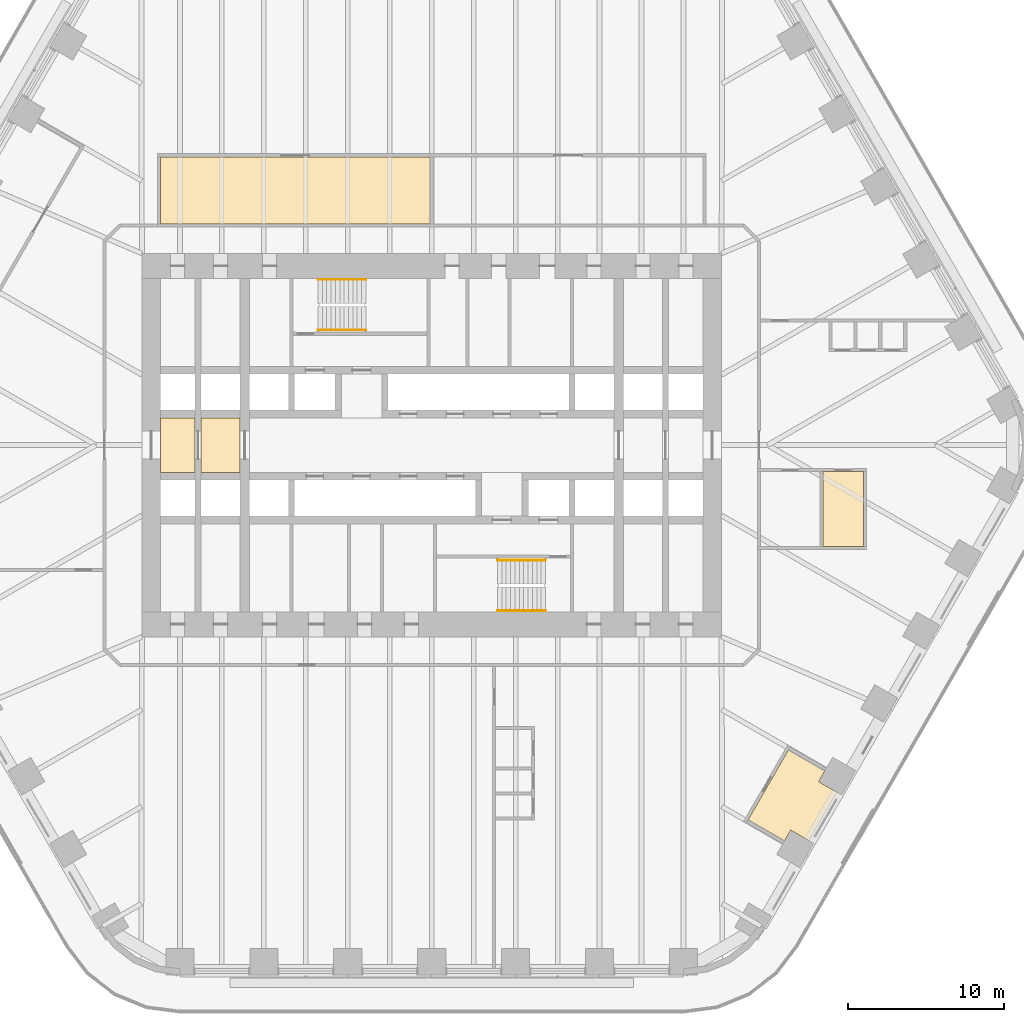
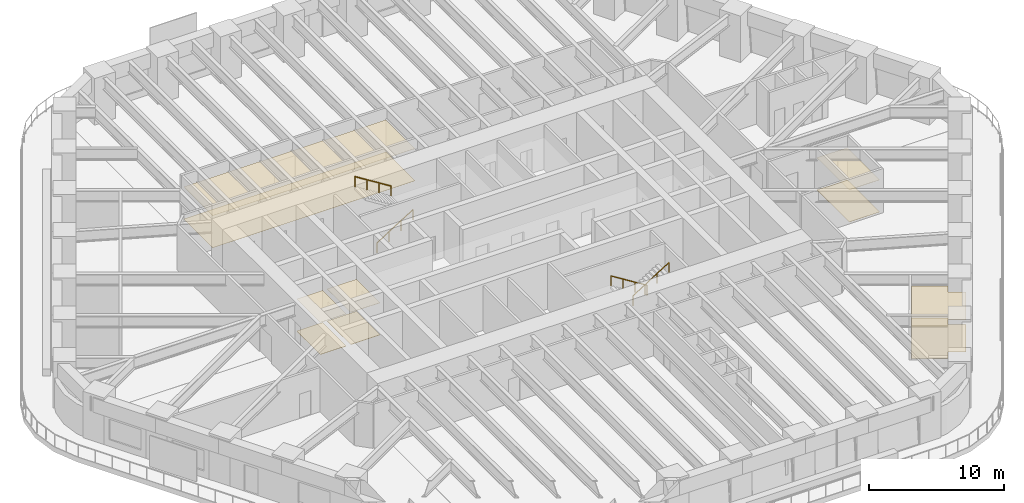
# One storey, part 22 of 24: 6 coverings, 4 railings.
"""IFC4 building model written with IfcOpenShell, lengths in metres."""

import ifcopenshell
import ifcopenshell.guid

model = None  # the IFC model being written
_history = None  # IfcOwnerHistory: only IFC2X3 demands one
_inside = {}  # id of a spatial element -> (the spatial element, [elements in it])
_under = {}  # id of a project, library or spatial element -> (it, [spatial elements below it])
_declared = {}  # id of a project -> (the project, [libraries it declares])
_typed = {}  # id of a type object -> (the type object, [elements of that type])
_made_of = {}  # id of a material, layer set ... -> (it, [elements and type objects made of it])


def new_model(schema):
    """Start an empty IFC model of exactly this schema.

    Asked for "IFC4X3", IfcOpenShell would pick the latest addendum, in which some entities
    have other attributes; the version numbers below select the first issue.
    IFC2X3 requires an IfcOwnerHistory on every rooted entity: one is made here for all.
    """
    global model, _history
    if schema == "IFC4X3":
        model = ifcopenshell.file(schema_version=(4, 3, 0, 0))
    else:
        model = ifcopenshell.file(schema=schema)
    _inside.clear()
    _under.clear()
    _declared.clear()
    _typed.clear()
    _made_of.clear()
    _history = None
    if model.schema == "IFC2X3":
        org = make("IfcOrganization", Name="unknown")
        user = make(
            "IfcPersonAndOrganization",
            ThePerson=make("IfcPerson", FamilyName="unknown"),
            TheOrganization=org,
        )
        app = make(
            "IfcApplication",
            ApplicationDeveloper=org,
            Version="unknown",
            ApplicationFullName="unknown",
            ApplicationIdentifier="unknown",
        )
        _history = make(
            "IfcOwnerHistory",
            OwningUser=user,
            OwningApplication=app,
            ChangeAction="ADDED",
            CreationDate=0,
        )
    return model


def make(cls, **values):
    """One entity of the class cls with the attributes given. An attribute that is None is left unset."""
    return model.create_entity(
        cls, **{name: value for name, value in values.items() if value is not None}
    )


def rooted(cls, **values):
    """An entity with a GlobalId (a new one), such as an element, a storey or a relation."""
    return make(cls, GlobalId=ifcopenshell.guid.new(), OwnerHistory=_history, **values)


def si_unit(unit_type, name, prefix=None):
    """IfcSIUnit, for example si_unit("LENGTHUNIT", "METRE", prefix="MILLI")."""
    return make("IfcSIUnit", UnitType=unit_type, Prefix=prefix, Name=name)


def assignment(units):
    """IfcUnitAssignment: the units of a project."""
    return None if units is None else make("IfcUnitAssignment", Units=units)


def point(xyz):
    """IfcCartesianPoint."""
    return None if xyz is None else make("IfcCartesianPoint", Coordinates=xyz)


def direction(xyz):
    """IfcDirection."""
    return None if xyz is None else make("IfcDirection", DirectionRatios=xyz)


def frame(location, z_axis=None, x_axis=None):
    """IfcAxis2Placement3D, a coordinate frame: its origin and axes. An axis left out is left unset."""
    return make(
        "IfcAxis2Placement3D",
        Location=point(location),
        Axis=direction(z_axis),
        RefDirection=direction(x_axis),
    )


def frame_2d(location, x_axis=None):
    """IfcAxis2Placement2D, a coordinate frame in the plane: its origin and x axis."""
    return make(
        "IfcAxis2Placement2D", Location=point(location), RefDirection=direction(x_axis)
    )


def origin():
    """The frame at (0, 0, 0) with its axes left unset."""
    return frame((0.0, 0.0, 0.0))


def origin_2d():
    """The frame at (0, 0) in the plane with its x axis left unset."""
    return frame_2d((0.0, 0.0))


def place(relative_to, where):
    """IfcLocalPlacement: puts the frame where relative to a parent placement (None: the world)."""
    return make(
        "IfcLocalPlacement", PlacementRelTo=relative_to, RelativePlacement=where
    )


def context(
    kind, dimensions, precision=None, world=None, true_north=None, identifier=None
):
    """IfcGeometricRepresentationContext, for example the 3D "Model" context."""
    return make(
        "IfcGeometricRepresentationContext",
        ContextIdentifier=identifier,
        ContextType=kind,
        CoordinateSpaceDimension=dimensions,
        Precision=precision,
        WorldCoordinateSystem=world,
        TrueNorth=true_north,
    )


def subcontext(parent, identifier, kind, view, scale=None):
    """IfcGeometricRepresentationSubContext, for example "Body" below "Model"."""
    return make(
        "IfcGeometricRepresentationSubContext",
        ContextIdentifier=identifier,
        ContextType=kind,
        ParentContext=parent,
        TargetScale=scale,
        TargetView=view,
    )


def project(units=None, contexts=None):
    """IfcProject with its units and contexts."""
    return rooted(
        "IfcProject",
        Name="project",
        RepresentationContexts=contexts,
        UnitsInContext=assignment(units),
    )


def spatial(cls, under=None, at=None, **own):
    """A site, building, storey or space (cls), placed at a placement, below another one or the project."""
    s = rooted(cls, ObjectPlacement=at, **own)
    if under is not None:
        _under.setdefault(under.id(), (under, []))[1].append(s)
    return s


def polyline(points):
    """IfcPolyline through the points."""
    return make("IfcPolyline", Points=[point(p) for p in points])


def profile(cls, at=None, kind="AREA", **sizes):
    """A parametric profile (cls). Its sizes go by their IFC names, for example OverallWidth=200.0."""
    return make(cls, ProfileType=kind, Position=at, **sizes)


def circle(**sizes):
    """IfcCircleProfileDef."""
    return profile("IfcCircleProfileDef", **sizes)


def outline(outer, holes=None, kind="AREA"):
    """IfcArbitraryClosedProfileDef: a profile drawn as a closed curve; with holes, ...WithVoids."""
    if holes is None:
        return make("IfcArbitraryClosedProfileDef", ProfileType=kind, OuterCurve=outer)
    return make(
        "IfcArbitraryProfileDefWithVoids",
        ProfileType=kind,
        OuterCurve=outer,
        InnerCurves=holes,
    )


def extrude(swept, where, along, depth):
    """IfcExtrudedAreaSolid: the profile swept, set in the frame where, extruded along a direction by depth."""
    return make(
        "IfcExtrudedAreaSolid",
        SweptArea=swept,
        Position=where,
        ExtrudedDirection=direction(along),
        Depth=depth,
    )


def shape(context_of_items, identifier, shape_type, items):
    """IfcShapeRepresentation: the items that make up one representation, for example the "Body"."""
    return make(
        "IfcShapeRepresentation",
        ContextOfItems=context_of_items,
        RepresentationIdentifier=identifier,
        RepresentationType=shape_type,
        Items=items,
    )


def material(Name=None, Category=None):
    """IfcMaterial."""
    return make("IfcMaterial", Name=Name, Category=Category)


def layer(
    of_material, thickness, ventilated=None, Name=None, Category=None, Priority=None
):
    """IfcMaterialLayer: one layer of a wall or slab, of a material (None: an air gap)."""
    return make(
        "IfcMaterialLayer",
        Material=of_material,
        LayerThickness=thickness,
        IsVentilated=ventilated,
        Name=Name,
        Category=Category,
        Priority=Priority,
    )


def layer_set(layers, Name=None):
    """IfcMaterialLayerSet."""
    return make("IfcMaterialLayerSet", MaterialLayers=layers, LayerSetName=Name)


def made_of(thing, what):
    """Note that an element or type object is made of a material, layer set ...; save() writes the relation."""
    if what is not None:
        _made_of.setdefault(what.id(), (what, []))[1].append(thing)
    return thing


def type_object(cls, material=None, **own):
    """A type object (cls), such as IfcWallType, which elements share."""
    return made_of(rooted(cls, **own), material)


def element(
    cls,
    number,
    at=None,
    inside=None,
    cuts=None,
    type_object=None,
    material=None,
    context=None,
    identifier="Body",
    shape_type=None,
    held_by="IfcProductDefinitionShape",
    body=None,
    shapes=None,
    **own,
):
    """One element of the class cls, such as IfcWall. Its Tag is "e" and its number.

    at: its placement. inside: the storey or other place that contains it. cuts: it is an
    opening in that element (IfcRelVoidsElement). A single representation is given by context,
    identifier, shape_type and body (its items); several are given by shapes. held_by: the class
    of the entity that holds the representations. save() writes the other relations.
    """
    e = rooted(cls, Tag="e%d" % number, ObjectPlacement=at, **own)
    if body is not None:
        shapes = [shape(context, identifier, shape_type, body)]
    if shapes is not None:
        e.Representation = make(held_by, Representations=shapes)
    if inside is not None:
        _inside.setdefault(inside.id(), (inside, []))[1].append(e)
    if cuts is not None:
        rooted(
            "IfcRelVoidsElement", RelatingBuildingElement=cuts, RelatedOpeningElement=e
        )
    if type_object is not None:
        _typed.setdefault(type_object.id(), (type_object, []))[1].append(e)
    return made_of(e, material)


def aggregate(whole, parts):
    """IfcRelAggregates: a whole, such as a stair, and the parts it consists of."""
    return rooted("IfcRelAggregates", RelatingObject=whole, RelatedObjects=parts)


def save(model, path):
    """Write the relations noted so far, then the file.

    IfcRelAggregates (storeys below a building ...), IfcRelContainedInSpatialStructure (elements
    in a storey), IfcRelDefinesByType, IfcRelAssociatesMaterial and IfcRelDeclares: one each for
    every whole, place, type object, material and project.
    """
    for whole, parts in _under.values():
        aggregate(whole, parts)
    for where, things in _inside.values():
        rooted(
            "IfcRelContainedInSpatialStructure",
            RelatedElements=things,
            RelatingStructure=where,
        )
    for kind, things in _typed.values():
        rooted("IfcRelDefinesByType", RelatedObjects=things, RelatingType=kind)
    for what, things in _made_of.values():
        rooted("IfcRelAssociatesMaterial", RelatedObjects=things, RelatingMaterial=what)
    for by, libraries in _declared.values():
        rooted("IfcRelDeclares", RelatingContext=by, RelatedDefinitions=libraries)
    model.write(path)


model = new_model("IFC4")

# Units and contexts
model_context = context("Model", 3, precision=1e-05, world=origin(), true_north=direction((0.0, 1.0)))
body_context = subcontext(model_context, "Body", "Model", "MODEL_VIEW")
ifc_project = project(units=[si_unit("LENGTHUNIT", "METRE"), si_unit("AREAUNIT", "SQUARE_METRE"), si_unit("VOLUMEUNIT", "CUBIC_METRE"), si_unit("PLANEANGLEUNIT", "RADIAN"), si_unit("MASSUNIT", "GRAM", prefix="KILO")], contexts=[model_context])

# Site, building, storey
site_placement = place(None, origin())
site = spatial("IfcSite", under=ifc_project, at=site_placement, CompositionType="ELEMENT")
building_placement = place(site_placement, origin())
building = spatial("IfcBuilding", under=site, at=building_placement, Name="Tarfa Lantern Tower", CompositionType="ELEMENT")
storey_placement = place(building_placement, frame((0.0, 0.0, 90.699951171875)))
storey = spatial("IfcBuildingStorey", under=building, at=storey_placement, Name="L20", CompositionType="ELEMENT", Elevation=90.699951171875)

# Coverings
ifc_material_1 = material(Name="Mineral fibre acoustic tile on suspension grid", Category="finish")
ifc_layer_1 = layer(ifc_material_1, 0.02001953125)
ifc_layer_set_1 = layer_set([ifc_layer_1], Name="CL1 ACOUSTIC TILE CEILING 20")
covering_type_1 = type_object("IfcCoveringType", Name="CL1 ACOUSTIC TILE CEILING 20", PredefinedType="CEILING", material=ifc_layer_set_1)
covering_1_placement = place(storey_placement, frame((0.0, 0.0, 2.900146484375)))
element("IfcCovering", 1, at=covering_1_placement, inside=storey, type_object=covering_type_1, Name="Ceiling L20 CL1", PredefinedType="CEILING", context=body_context, shape_type="SweptSolid", body=[
    extrude(outline(polyline([(-17.39990234375, 18.5), (-0.10009765625, 18.5), (-0.10009765625, 14.199951171875), (-17.39990234375, 14.199951171875), (-17.39990234375, 18.5)])), origin(), (0.0, 0.0, 1.0), 0.02001953125),
    extrude(outline(polyline([(25.10009765625, -1.699951171875), (27.699951171875, -1.699951171875), (27.699951171875, -6.5), (25.10009765625, -6.5), (25.10009765625, -1.699951171875)])), origin(), (0.0, 0.0, 1.0), 0.02001953125),
    extrude(outline(polyline([(22.89013671875, -19.55322265625), (25.228271484375, -20.9033203125), (24.828369140625, -21.59619140625), (25.99755859375, -22.27099609375), (24.203125, -25.37890625), (23.033935546875, -24.703857421875), (22.634033203125, -25.396728515625), (20.295654296875, -24.046630859375), (22.89013671875, -19.55322265625)])), origin(), (0.0, 0.0, 1.0), 0.02001953125),
])
ifc_material_2 = material(Name="Powder-coated aluminium panel", Category="aluminium")
ifc_layer_2 = layer(ifc_material_2, 0.030029296875)
ifc_layer_set_2 = layer_set([ifc_layer_2], Name="CL3 METAL PANEL CEILING 30")
covering_type_2 = type_object("IfcCoveringType", Name="CL3 METAL PANEL CEILING 30", PredefinedType="CEILING", material=ifc_layer_set_2)
covering_2_placement = place(storey_placement, frame((0.0, 0.0, 2.900146484375)))
element("IfcCovering", 2, at=covering_2_placement, inside=storey, type_object=covering_type_2, Name="Ceiling L20-01", PredefinedType="CEILING", context=body_context, shape_type="SweptSolid", body=[
    extrude(outline(polyline([(-17.39990234375, -1.75), (-15.199951171875, -1.75), (-15.199951171875, 1.75), (-17.39990234375, 1.75), (-17.39990234375, -1.75)])), origin(), (0.0, 0.0, 1.0), 0.02978515625),
])
covering_3_placement = place(storey_placement, frame((0.0, 0.0, 2.900146484375)))
element("IfcCovering", 3, at=covering_3_placement, inside=storey, type_object=covering_type_2, Name="Ceiling L20-02", PredefinedType="CEILING", context=body_context, shape_type="SweptSolid", body=[
    extrude(outline(polyline([(-14.800048828125, -1.75), (-12.300048828125, -1.75), (-12.300048828125, 1.75), (-14.800048828125, 1.75), (-14.800048828125, -1.75)])), origin(), (0.0, 0.0, 1.0), 0.02978515625),
])
ifc_material_3 = material(Name="Nylon carpet tile", Category="finish")
ifc_layer_3 = layer(ifc_material_3, 0.010009765625)
ifc_layer_set_3 = layer_set([ifc_layer_3], Name="FL1 CARPET TILE 10")
covering_type_3 = type_object("IfcCoveringType", Name="FL1 CARPET TILE 10", PredefinedType="FLOORING", material=ifc_layer_set_3)
covering_4_placement = place(storey_placement, origin())
element("IfcCovering", 4, at=covering_4_placement, inside=storey, type_object=covering_type_3, Name="Floor finish L20 FL1", PredefinedType="FLOORING", context=body_context, shape_type="SweptSolid", body=[
    extrude(outline(polyline([(-17.39990234375, 18.5), (-0.10009765625, 18.5), (-0.10009765625, 14.199951171875), (-17.39990234375, 14.199951171875), (-17.39990234375, 18.5)])), origin(), (0.0, 0.0, 1.0), 0.010009765625),
    extrude(outline(polyline([(25.10009765625, -1.699951171875), (27.699951171875, -1.699951171875), (27.699951171875, -6.5), (25.10009765625, -6.5), (25.10009765625, -1.699951171875)])), origin(), (0.0, 0.0, 1.0), 0.010009765625),
    extrude(outline(polyline([(22.89013671875, -19.55322265625), (25.228271484375, -20.9033203125), (24.828369140625, -21.59619140625), (25.99755859375, -22.27099609375), (24.203125, -25.37890625), (23.033935546875, -24.703857421875), (22.634033203125, -25.396728515625), (20.295654296875, -24.046630859375), (22.89013671875, -19.55322265625)])), origin(), (0.0, 0.0, 1.0), 0.010009765625),
])
ifc_material_4 = material(Name="Honed limestone flooring", Category="masonry")
ifc_layer_4 = layer(ifc_material_4, 0.030029296875)
ifc_layer_set_4 = layer_set([ifc_layer_4], Name="FL2 STONE FLOORING 30")
covering_type_4 = type_object("IfcCoveringType", Name="FL2 STONE FLOORING 30", PredefinedType="FLOORING", material=ifc_layer_set_4)
covering_5_placement = place(storey_placement, origin())
element("IfcCovering", 5, at=covering_5_placement, inside=storey, type_object=covering_type_4, Name="Floor finish L20-01", PredefinedType="FLOORING", context=body_context, shape_type="SweptSolid", body=[
    extrude(outline(polyline([(-17.39990234375, -1.75), (-15.199951171875, -1.75), (-15.199951171875, 1.75), (-17.39990234375, 1.75), (-17.39990234375, -1.75)])), origin(), (0.0, 0.0, 1.0), 0.030029296875),
])
covering_6_placement = place(storey_placement, origin())
element("IfcCovering", 6, at=covering_6_placement, inside=storey, type_object=covering_type_4, Name="Floor finish L20-02", PredefinedType="FLOORING", context=body_context, shape_type="SweptSolid", body=[
    extrude(outline(polyline([(-14.800048828125, -1.75), (-12.300048828125, -1.75), (-12.300048828125, 1.75), (-14.800048828125, 1.75), (-14.800048828125, -1.75)])), origin(), (0.0, 0.0, 1.0), 0.030029296875),
])

# Railings
ifc_material_5 = material(Name="Stainless steel", Category="steel")
railing_type = type_object("IfcRailingType", Name="HR1 HANDRAIL 900", PredefinedType="HANDRAIL", material=ifc_material_5)
railing_1_placement = place(storey_placement, frame((-7.300048828125, 7.3798828125, 0.175048828125)))
element("IfcRailing", 7, at=railing_1_placement, inside=storey, type_object=railing_type, Name="Handrail 1", PredefinedType="HANDRAIL", context=body_context, shape_type="SweptSolid", body=[
    extrude(circle(Radius=0.02392578125, at=origin_2d()), frame((0.0, 0.0, 0.8759765625), z_axis=(0.847998304005, 0.0, 0.529998940003), x_axis=(0.0, 1.0, 0.0)), (0.0, 0.0, 1.0), 3.632080078125),
    extrude(circle(Radius=0.02099609375, at=origin_2d()), frame((0.0, 0.0, 0.0), z_axis=(0.0, 0.0, 1.0), x_axis=(0.0, 1.0, 0.0)), (0.0, 0.0, 1.0), 0.851806640625),
    extrude(circle(Radius=0.02099609375, at=origin_2d()), frame((1.026611328125, 0.0, 0.6416015625), z_axis=(0.0, 0.0, 1.0), x_axis=(0.0, 1.0, 0.0)), (0.0, 0.0, 1.0), 0.851806640625),
    extrude(circle(Radius=0.02099609375, at=origin_2d()), frame((2.053466796875, 0.0, 1.283447265625), z_axis=(0.0, 0.0, 1.0), x_axis=(0.0, 1.0, 0.0)), (0.0, 0.0, 1.0), 0.851806640625),
    extrude(circle(Radius=0.02099609375, at=origin_2d()), frame((3.080078125, 0.0, 1.925048828125), z_axis=(0.0, 0.0, 1.0), x_axis=(0.0, 1.0, 0.0)), (0.0, 0.0, 1.0), 0.851806640625),
])
railing_2_placement = place(storey_placement, frame((-4.219970703125, 10.6201171875, 2.275146484375)))
element("IfcRailing", 8, at=railing_2_placement, inside=storey, type_object=railing_type, Name="Handrail 2", PredefinedType="HANDRAIL", context=body_context, shape_type="SweptSolid", body=[
    extrude(circle(Radius=0.02392578125, at=origin_2d()), frame((0.0, 0.0, 0.8759765625), z_axis=(-0.848028513186, 0.0, 0.529950602248), x_axis=(0.0, -1.0, 0.0)), (0.0, 0.0, 1.0), 3.632080078125),
    extrude(circle(Radius=0.02099609375, at=origin_2d()), frame((0.0, 0.0, 0.0), z_axis=(0.0, 0.0, 1.0), x_axis=(0.0, -1.0, 0.0)), (0.0, 0.0, 1.0), 0.851806640625),
    extrude(circle(Radius=0.02099609375, at=origin_2d()), frame((-1.026611328125, 0.0, 0.6416015625), z_axis=(0.0, 0.0, 1.0), x_axis=(0.0, -1.0, 0.0)), (0.0, 0.0, 1.0), 0.851806640625),
    extrude(circle(Radius=0.02099609375, at=origin_2d()), frame((-2.053466796875, 0.0, 1.283203125), z_axis=(0.0, 0.0, 1.0), x_axis=(0.0, -1.0, 0.0)), (0.0, 0.0, 1.0), 0.851806640625),
    extrude(circle(Radius=0.02099609375, at=origin_2d()), frame((-3.080078125, 0.0, 1.9248046875), z_axis=(0.0, 0.0, 1.0), x_axis=(0.0, -1.0, 0.0)), (0.0, 0.0, 1.0), 0.851806640625),
])
railing_3_placement = place(storey_placement, frame((7.300048828125, -7.3798828125, 0.175048828125)))
element("IfcRailing", 9, at=railing_3_placement, inside=storey, type_object=railing_type, Name="Handrail 1", PredefinedType="HANDRAIL", context=body_context, shape_type="SweptSolid", body=[
    extrude(circle(Radius=0.02392578125, at=origin_2d()), frame((0.0, 0.0, 0.8759765625), z_axis=(-0.847998304005, 0.0, 0.529998940003), x_axis=(0.0, -1.0, 0.0)), (0.0, 0.0, 1.0), 3.632080078125),
    extrude(circle(Radius=0.02099609375, at=origin_2d()), frame((0.0, 0.0, 0.0), z_axis=(0.0, 0.0, 1.0), x_axis=(0.0, -1.0, 0.0)), (0.0, 0.0, 1.0), 0.851806640625),
    extrude(circle(Radius=0.02099609375, at=origin_2d()), frame((-1.026611328125, 0.0, 0.6416015625), z_axis=(0.0, 0.0, 1.0), x_axis=(0.0, -1.0, 0.0)), (0.0, 0.0, 1.0), 0.851806640625),
    extrude(circle(Radius=0.02099609375, at=origin_2d()), frame((-2.053466796875, 0.0, 1.283447265625), z_axis=(0.0, 0.0, 1.0), x_axis=(0.0, -1.0, 0.0)), (0.0, 0.0, 1.0), 0.851806640625),
    extrude(circle(Radius=0.02099609375, at=origin_2d()), frame((-3.080078125, 0.0, 1.925048828125), z_axis=(0.0, 0.0, 1.0), x_axis=(0.0, -1.0, 0.0)), (0.0, 0.0, 1.0), 0.851806640625),
])
railing_4_placement = place(storey_placement, frame((4.219970703125, -10.6201171875, 2.275146484375)))
element("IfcRailing", 10, at=railing_4_placement, inside=storey, type_object=railing_type, Name="Handrail 2", PredefinedType="HANDRAIL", context=body_context, shape_type="SweptSolid", body=[
    extrude(circle(Radius=0.02392578125, at=origin_2d()), frame((0.0, 0.0, 0.8759765625), z_axis=(0.848028513186, 0.0, 0.529950602248), x_axis=(0.0, 1.0, 0.0)), (0.0, 0.0, 1.0), 3.632080078125),
    extrude(circle(Radius=0.02099609375, at=origin_2d()), frame((0.0, 0.0, 0.0), z_axis=(0.0, 0.0, 1.0), x_axis=(0.0, 1.0, 0.0)), (0.0, 0.0, 1.0), 0.851806640625),
    extrude(circle(Radius=0.02099609375, at=origin_2d()), frame((1.026611328125, 0.0, 0.6416015625), z_axis=(0.0, 0.0, 1.0), x_axis=(0.0, 1.0, 0.0)), (0.0, 0.0, 1.0), 0.851806640625),
    extrude(circle(Radius=0.02099609375, at=origin_2d()), frame((2.053466796875, 0.0, 1.283203125), z_axis=(0.0, 0.0, 1.0), x_axis=(0.0, 1.0, 0.0)), (0.0, 0.0, 1.0), 0.851806640625),
    extrude(circle(Radius=0.02099609375, at=origin_2d()), frame((3.080078125, 0.0, 1.9248046875), z_axis=(0.0, 0.0, 1.0), x_axis=(0.0, 1.0, 0.0)), (0.0, 0.0, 1.0), 0.851806640625),
])

save(model, "model.ifc")
